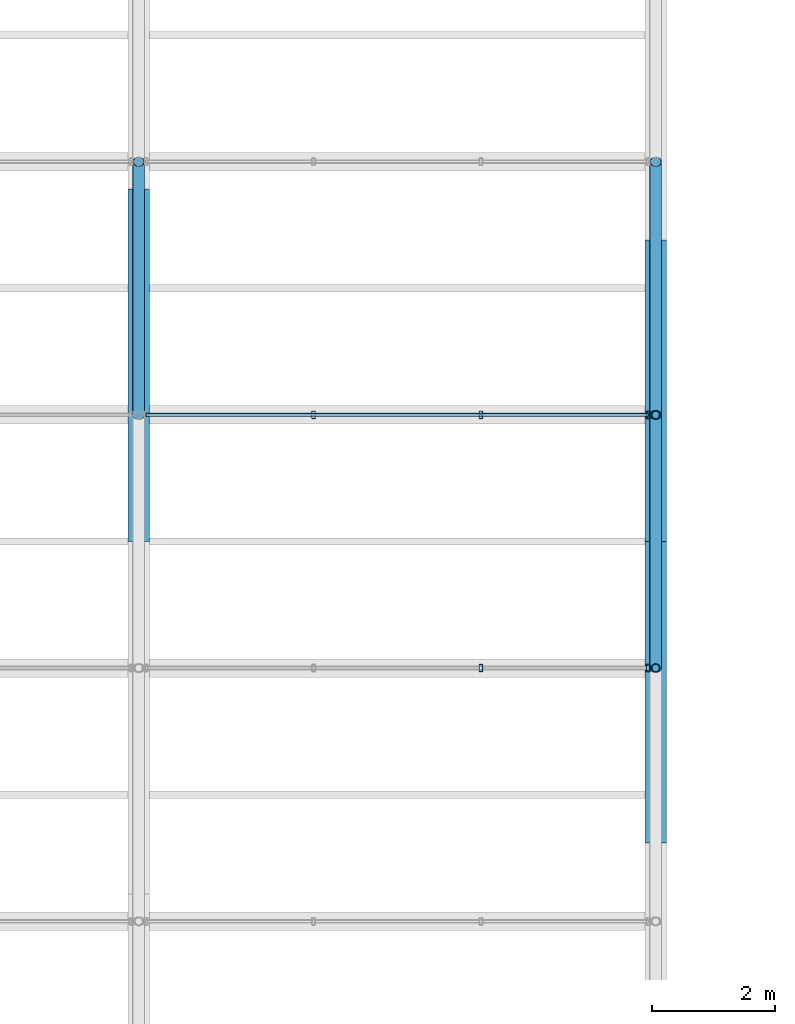
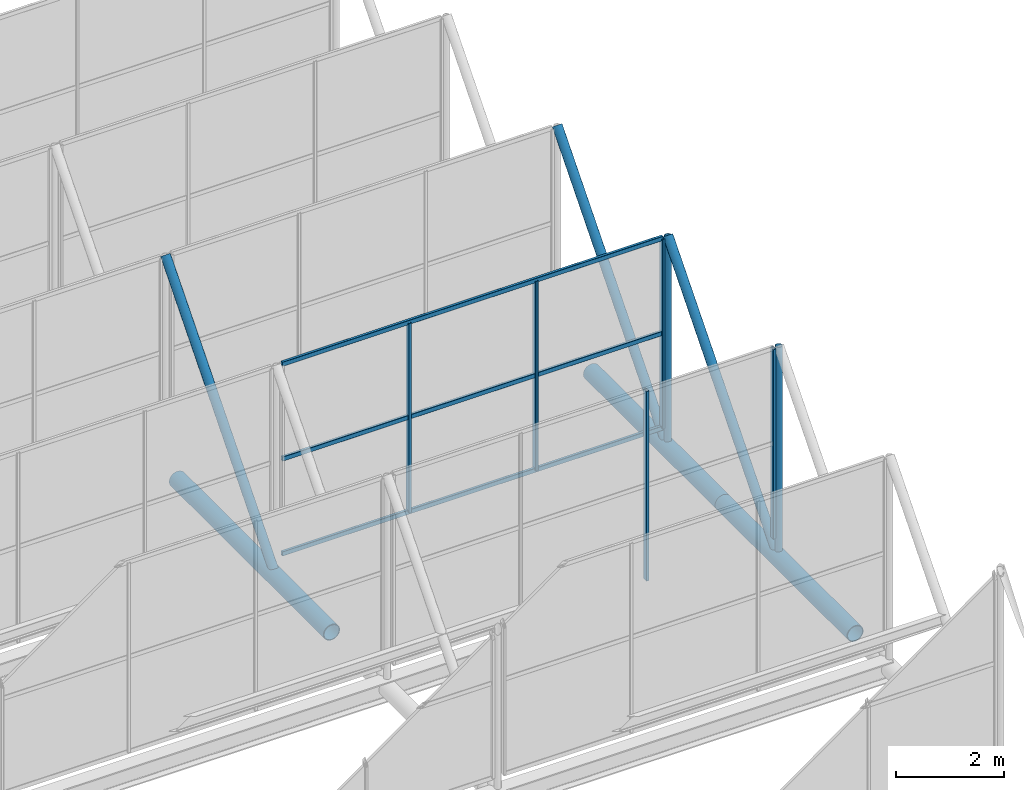
# One storey, part 44 of 77: 16 members, 2 elements without a shape of their own.
"""IFC4 building model written with IfcOpenShell, lengths in metres."""

from ifc_helpers import new_model, si_unit, derived_unit, direction, frame, origin, origin_2d, place, context, subcontext, project, spatial, hollow_rectangle, hollow_circle, extrude, material, material_profile, profile_set, type_object, element, aggregate, save


model = new_model("IFC4")

# Units and contexts
model_context = context("Model", 3, precision=1e-05, world=origin(), true_north=direction((0.0, 1.0)))
body_context = subcontext(model_context, "Body", "Model", "MODEL_VIEW")
ifc_project = project(units=[si_unit("LENGTHUNIT", "METRE"), si_unit("AREAUNIT", "SQUARE_METRE"), si_unit("VOLUMEUNIT", "CUBIC_METRE"), si_unit("PLANEANGLEUNIT", "RADIAN"), si_unit("MASSUNIT", "GRAM", prefix="KILO"), derived_unit("THERMALTRANSMITTANCEUNIT", [(si_unit("MASSUNIT", "GRAM", prefix="KILO"), 1), (si_unit("TIMEUNIT", "SECOND"), -3), (si_unit("THERMODYNAMICTEMPERATUREUNIT", "KELVIN"), -1)])], contexts=[model_context])

# Site, building, storey
site_placement = place(None, origin())
site = spatial("IfcSite", under=ifc_project, at=site_placement, CompositionType="ELEMENT")
building_placement = place(site_placement, origin())
building = spatial("IfcBuilding", under=site, at=building_placement, Name="Kharveza Railside Sports Centre", CompositionType="ELEMENT")
storey_placement = place(building_placement, frame((0.0, 0.0, 17.10009765625)))
storey = spatial("IfcBuildingStorey", under=building, at=storey_placement, Name="L04", CompositionType="ELEMENT", Elevation=17.10009765625)

# Curtain wall, members
ifc_material_1 = material(Name="Low-E solar-control laminated glass", Category="glass")
curtain_wall_type = type_object("IfcCurtainWallType", Name="CW-NL01", PredefinedType="NOTDEFINED", material=ifc_material_1)
curtain_wall_1_placement = place(storey_placement, origin())
curtain_wall_1 = element("IfcCurtainWall", 1, at=curtain_wall_1_placement, inside=storey, type_object=curtain_wall_type, Name="CW-V1NL-3-5", PredefinedType="NOTDEFINED")
ifc_material_2 = material(Name="Anodised aluminium 6063-T6", Category="aluminium")
ifc_material_profile_1 = material_profile(ifc_material_2, hollow_rectangle(XDim=0.06005859375, YDim=0.1201171875, WallThickness=0.0048828125, InnerFilletRadius=0.0048828125, OuterFilletRadius=0.010009765625, at=origin_2d()), Name="RHS 60x120x5.0")
ifc_profile_set_1 = profile_set([ifc_material_profile_1], Name="Anodised aluminium 6063-T6")
member_type_1 = type_object("IfcMemberType", Name="CW-ML05", PredefinedType="MULLION", material=ifc_profile_set_1)
member_1_placement = place(storey_placement, frame((72.760009765625, 48.343017578125, -0.550048828125), z_axis=(0.0, 0.0, 1.0), x_axis=(1.0, 0.0, 0.0)))
member_1 = element("IfcMember", 2, at=member_1_placement, type_object=member_type_1, Name="CW-V1NL-3-5-ML3", PredefinedType="MULLION", context=body_context, shape_type="SweptSolid", body=[
    extrude(hollow_rectangle(XDim=0.06005859375, YDim=0.1201171875, WallThickness=0.0048828125, InnerFilletRadius=0.0048828125, OuterFilletRadius=0.010009765625, at=origin_2d()), origin(), (0.0, 0.0, 1.0), 4.300048828125),
])
member_2_placement = place(storey_placement, frame((75.47998046875, 48.343017578125, -0.550048828125), z_axis=(0.0, 0.0, 1.0), x_axis=(1.0, 0.0, 0.0)))
member_2 = element("IfcMember", 3, at=member_2_placement, type_object=member_type_1, Name="CW-V1NL-3-5-ML4", PredefinedType="MULLION", context=body_context, shape_type="SweptSolid", body=[
    extrude(hollow_rectangle(XDim=0.06005859375, YDim=0.1201171875, WallThickness=0.0048828125, InnerFilletRadius=0.0048828125, OuterFilletRadius=0.010009765625, at=origin_2d()), origin(), (0.0, 0.0, 1.0), 4.300048828125),
])
aggregate(curtain_wall_1, [member_1, member_2])

curtain_wall_2_placement = place(storey_placement, origin())
curtain_wall_2 = element("IfcCurtainWall", 4, at=curtain_wall_2_placement, inside=storey, type_object=curtain_wall_type, Name="CW-V1NL-4-5", PredefinedType="NOTDEFINED")
member_3_placement = place(storey_placement, frame((70.0400390625, 52.45703125, -0.550048828125), z_axis=(0.0, 0.0, 1.0), x_axis=(1.0, 0.0, 0.0)))
member_3 = element("IfcMember", 5, at=member_3_placement, type_object=member_type_1, Name="CW-V1NL-4-5-ML2", PredefinedType="MULLION", context=body_context, shape_type="SweptSolid", body=[
    extrude(hollow_rectangle(XDim=0.06005859375, YDim=0.1201171875, WallThickness=0.0048828125, InnerFilletRadius=0.0048828125, OuterFilletRadius=0.010009765625, at=origin_2d()), origin(), (0.0, 0.0, 1.0), 4.300048828125),
])
member_4_placement = place(storey_placement, frame((72.760009765625, 52.45703125, -0.550048828125), z_axis=(0.0, 0.0, 1.0), x_axis=(1.0, 0.0, 0.0)))
member_4 = element("IfcMember", 6, at=member_4_placement, type_object=member_type_1, Name="CW-V1NL-4-5-ML3", PredefinedType="MULLION", context=body_context, shape_type="SweptSolid", body=[
    extrude(hollow_rectangle(XDim=0.06005859375, YDim=0.1201171875, WallThickness=0.0048828125, InnerFilletRadius=0.0048828125, OuterFilletRadius=0.010009765625, at=origin_2d()), origin(), (0.0, 0.0, 1.0), 4.300048828125),
])
member_5_placement = place(storey_placement, frame((75.47998046875, 52.45703125, -0.550048828125), z_axis=(0.0, 0.0, 1.0), x_axis=(1.0, 0.0, 0.0)))
member_5 = element("IfcMember", 7, at=member_5_placement, type_object=member_type_1, Name="CW-V1NL-4-5-ML4", PredefinedType="MULLION", context=body_context, shape_type="SweptSolid", body=[
    extrude(hollow_rectangle(XDim=0.06005859375, YDim=0.1201171875, WallThickness=0.0048828125, InnerFilletRadius=0.0048828125, OuterFilletRadius=0.010009765625, at=origin_2d()), origin(), (0.0, 0.0, 1.0), 4.300048828125),
])
ifc_material_profile_2 = material_profile(ifc_material_2, hollow_rectangle(XDim=0.06005859375, YDim=0.10009765625, WallThickness=0.00390625, InnerFilletRadius=0.00390625, OuterFilletRadius=0.008056640625, at=origin_2d()), Name="RHS 60x100x4.0")
ifc_profile_set_2 = profile_set([ifc_material_profile_2], Name="Anodised aluminium 6063-T6")
member_type_2 = type_object("IfcMemberType", Name="CW-TR05", PredefinedType="USERDEFINED", material=ifc_profile_set_2)
member_6_placement = place(storey_placement, frame((67.320068359375, 52.45703125, -0.550048828125), z_axis=(1.0, 0.0, 0.0), x_axis=(0.0, 1.0, 0.0)))
member_6 = element("IfcMember", 8, at=member_6_placement, type_object=member_type_2, Name="CW-V1NL-4-5-TR1", ObjectType="TRANSOM", PredefinedType="USERDEFINED", context=body_context, shape_type="SweptSolid", body=[
    extrude(hollow_rectangle(XDim=0.06005859375, YDim=0.10009765625, WallThickness=0.00390625, InnerFilletRadius=0.00390625, OuterFilletRadius=0.008056640625, at=origin_2d()), origin(), (0.0, 0.0, 1.0), 8.159912109375),
])
member_7_placement = place(storey_placement, frame((67.320068359375, 52.45703125, 1.599853515625), z_axis=(1.0, 0.0, 0.0), x_axis=(0.0, 1.0, 0.0)))
member_7 = element("IfcMember", 9, at=member_7_placement, type_object=member_type_2, Name="CW-V1NL-4-5-TR2", ObjectType="TRANSOM", PredefinedType="USERDEFINED", context=body_context, shape_type="SweptSolid", body=[
    extrude(hollow_rectangle(XDim=0.06005859375, YDim=0.10009765625, WallThickness=0.00390625, InnerFilletRadius=0.00390625, OuterFilletRadius=0.008056640625, at=origin_2d()), origin(), (0.0, 0.0, 1.0), 8.159912109375),
])
member_8_placement = place(storey_placement, frame((67.320068359375, 52.45703125, 3.75), z_axis=(1.0, 0.0, 0.0), x_axis=(0.0, 1.0, 0.0)))
member_8 = element("IfcMember", 10, at=member_8_placement, type_object=member_type_2, Name="CW-V1NL-4-5-TR3", ObjectType="TRANSOM", PredefinedType="USERDEFINED", context=body_context, shape_type="SweptSolid", body=[
    extrude(hollow_rectangle(XDim=0.06005859375, YDim=0.10009765625, WallThickness=0.00390625, InnerFilletRadius=0.00390625, OuterFilletRadius=0.008056640625, at=origin_2d()), origin(), (0.0, 0.0, 1.0), 8.159912109375),
])
aggregate(curtain_wall_2, [member_3, member_4, member_5, member_6, member_7, member_8])

# Members
ifc_material_3 = material(Name="Steel S355J2", Category="steel")
ifc_material_profile_3 = material_profile(ifc_material_3, hollow_circle(Radius=0.177734375, WallThickness=0.01611328125, at=origin_2d()), Name="CHS 355.6x16.0")
ifc_profile_set_3 = profile_set([ifc_material_profile_3], Name="Steel S355J2")
member_type_3 = type_object("IfcMemberType", Name="MB-CH01", PredefinedType="CHORD", material=ifc_profile_set_3)
member_9_placement = place(storey_placement, frame((67.199951171875, 50.39990234375, -1.050048828125), z_axis=(0.0, 1.0, 0.0), x_axis=(-1.0, 0.0, 0.0)))
element("IfcMember", 11, at=member_9_placement, inside=storey, type_object=member_type_3, Name="MB-V1TR-TC-5-5", PredefinedType="CHORD", context=body_context, shape_type="SweptSolid", body=[
    extrude(hollow_circle(Radius=0.177734375, WallThickness=0.01611328125, at=origin_2d()), origin(), (0.0, 0.0, 1.0), 5.72900390625),
])
member_10_placement = place(storey_placement, frame((75.60009765625, 45.50341796875, -1.050048828125), z_axis=(0.0, 1.0, 0.0), x_axis=(-1.0, 0.0, 0.0)))
element("IfcMember", 12, at=member_10_placement, inside=storey, type_object=member_type_3, Name="MB-V1TR-TC-6-4", PredefinedType="CHORD", context=body_context, shape_type="SweptSolid", body=[
    extrude(hollow_circle(Radius=0.177734375, WallThickness=0.01611328125, at=origin_2d()), origin(), (0.0, 0.0, 1.0), 4.896484375),
])
member_11_placement = place(storey_placement, frame((75.60009765625, 50.39990234375, -1.050048828125), z_axis=(0.0, 1.0, 0.0), x_axis=(-1.0, 0.0, 0.0)))
element("IfcMember", 13, at=member_11_placement, inside=storey, type_object=member_type_3, Name="MB-V1TR-TC-6-5", PredefinedType="CHORD", context=body_context, shape_type="SweptSolid", body=[
    extrude(hollow_circle(Radius=0.177734375, WallThickness=0.01611328125, at=origin_2d()), origin(), (0.0, 0.0, 1.0), 4.896728515625),
])
ifc_material_profile_4 = material_profile(ifc_material_3, hollow_circle(Radius=0.096923828125, WallThickness=0.010009765625, at=origin_2d()), Name="CHS 193.7x10.0")
ifc_profile_set_4 = profile_set([ifc_material_profile_4], Name="Steel S355J2")
member_type_4 = type_object("IfcMemberType", Name="MB-ST02", PredefinedType="STRUT", material=ifc_profile_set_4)
member_12_placement = place(storey_placement, frame((75.60009765625, 48.343017578125, -1.050048828125), z_axis=(0.0, 0.649980985845, 0.759950470781), x_axis=(-1.0, 0.0, 0.0)))
element("IfcMember", 14, at=member_12_placement, inside=storey, type_object=member_type_4, Name="MB-V1SAW-RFT-4-6", PredefinedType="STRUT", context=body_context, shape_type="SweptSolid", body=[
    extrude(hollow_circle(Radius=0.096923828125, WallThickness=0.010009765625, at=origin_2d()), origin(), (0.0, 0.0, 1.0), 6.329345703125),
])
for number, where, z_axis, x_axis, name in (
    (15, (67.199951171875, 52.45703125, -1.050048828125), (0.0, 0.650003261435, 0.759931418039), (-1.0, 0.0, 0.0), "MB-V1SAW-RFT-5-5"),
    (16, (75.60009765625, 52.45703125, -1.050048828125), (0.0, 0.650003261435, 0.759931418039), (-1.0, 0.0, 0.0), "MB-V1SAW-RFT-5-6"),
):
    element("IfcMember", number, at=place(storey_placement, frame(where, z_axis=z_axis, x_axis=x_axis)), inside=storey, type_object=member_type_4, Name=name, PredefinedType="STRUT", context=body_context, shape_type="SweptSolid", body=[
        extrude(hollow_circle(Radius=0.096923828125, WallThickness=0.010009765625, at=origin_2d()), origin(), (0.0, 0.0, 1.0), 6.32958984375),
    ])
ifc_material_profile_5 = material_profile(ifc_material_3, hollow_circle(Radius=0.06982421875, WallThickness=0.008056640625, at=origin_2d()), Name="CHS 139.7x8.0")
ifc_profile_set_5 = profile_set([ifc_material_profile_5], Name="Steel S355J2")
member_type_5 = type_object("IfcMemberType", Name="MB-ST04", PredefinedType="STRUT", material=ifc_profile_set_5)
for number, where, z_axis, x_axis, name in (
    (17, (75.60009765625, 48.343017578125, -1.050048828125), (0.0, 0.0, 1.0), (1.0, 0.0, 0.0), "MB-V1SAW-PST-3-6"),
    (18, (75.60009765625, 52.45703125, -1.050048828125), (0.0, 0.0, 1.0), (1.0, 0.0, 0.0), "MB-V1SAW-PST-4-6"),
):
    element("IfcMember", number, at=place(storey_placement, frame(where, z_axis=z_axis, x_axis=x_axis)), inside=storey, type_object=member_type_5, Name=name, PredefinedType="STRUT", context=body_context, shape_type="SweptSolid", body=[
        extrude(hollow_circle(Radius=0.06982421875, WallThickness=0.008056640625, at=origin_2d()), origin(), (0.0, 0.0, 1.0), 4.81005859375),
    ])

save(model, "model.ifc")
